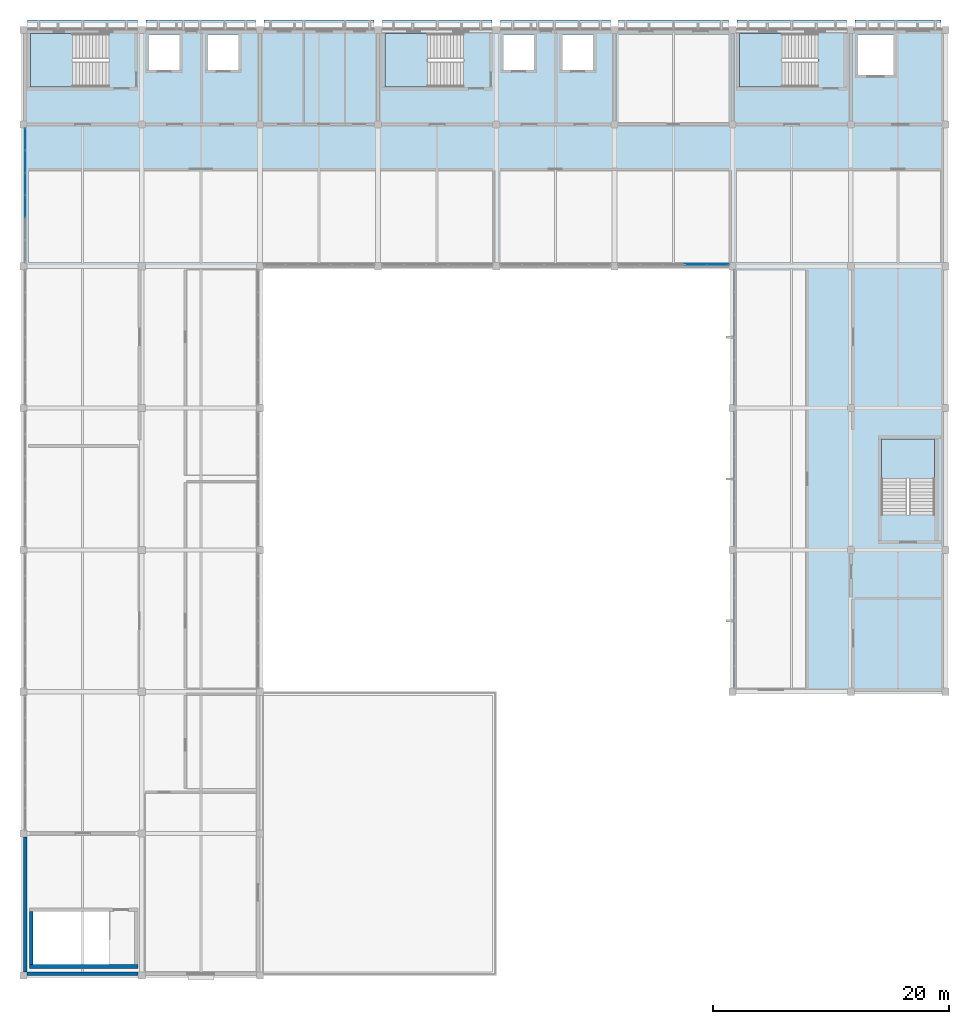
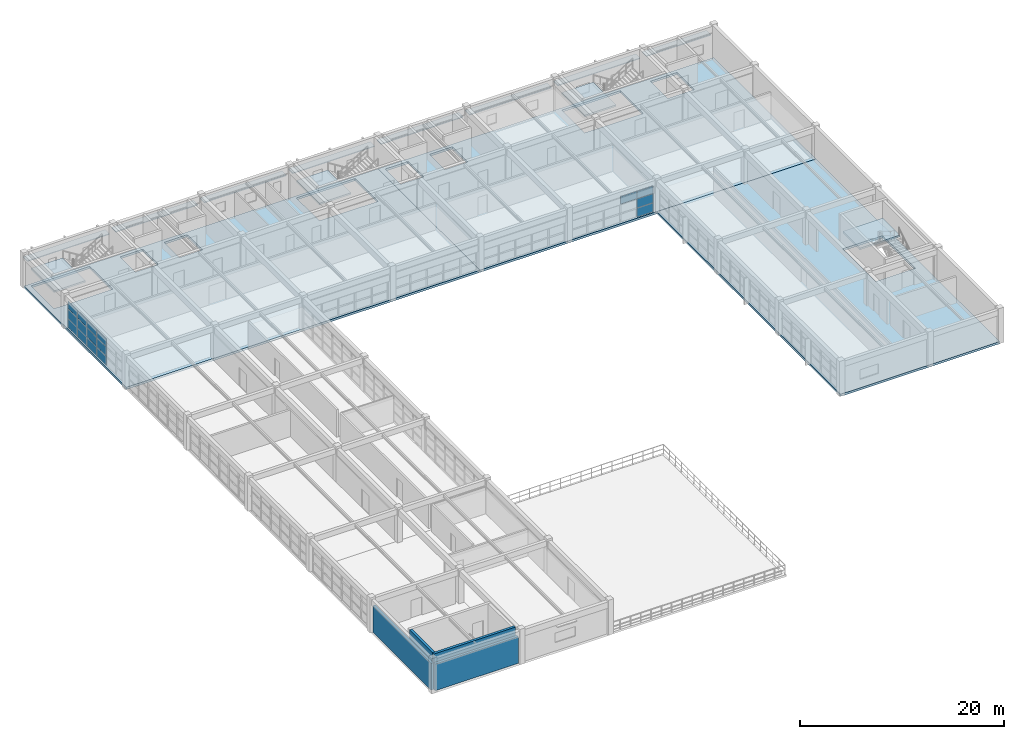
# One storey, part 18 of 28: 24 plates, 7 slabs, 4 walls, 6 elements without a shape of their own.
"""IFC4 building model written with IfcOpenShell, lengths in metres."""

from ifc_helpers import new_model, si_unit, direction, frame, frame_2d, origin, origin_2d, place, context, subcontext, project, spatial, polyline, rectangle, outline, extrude, material, layer, layer_set, type_object, element, aggregate, save


model = new_model("IFC4")

# Units and contexts
model_context = context("Model", 3, precision=1e-05, world=origin(), true_north=direction((0.0, 1.0)))
body_context = subcontext(model_context, "Body", "Model", "MODEL_VIEW")
ifc_project = project(units=[si_unit("LENGTHUNIT", "METRE"), si_unit("AREAUNIT", "SQUARE_METRE"), si_unit("VOLUMEUNIT", "CUBIC_METRE"), si_unit("PLANEANGLEUNIT", "RADIAN"), si_unit("MASSUNIT", "GRAM", prefix="KILO")], contexts=[model_context])

# Site, building, storey
site_placement = place(None, origin())
site = spatial("IfcSite", under=ifc_project, at=site_placement, CompositionType="ELEMENT")
building_placement = place(site_placement, origin())
building = spatial("IfcBuilding", under=site, at=building_placement, Name="Kivolera Central Railway Station", CompositionType="ELEMENT")
storey_placement = place(building_placement, frame((0.0, 0.0, 18.60009765625)))
storey = spatial("IfcBuildingStorey", under=building, at=storey_placement, Name="L04", CompositionType="ELEMENT", Elevation=18.60009765625)

# Curtain wall, plates
ifc_material_1 = material(Name="Anodised aluminium", Category="aluminium")
ifc_layer_1 = layer(ifc_material_1, 0.179931640625, Name="Anodised aluminium")
ifc_layer_set_1 = layer_set([ifc_layer_1], Name="Anodised aluminium")
curtain_wall_type_1 = type_object("IfcCurtainWallType", Name="CW-SYS-33", PredefinedType="NOTDEFINED", material=ifc_layer_set_1)
curtain_wall_1_placement = place(storey_placement, origin())
curtain_wall_1 = element("IfcCurtainWall", 1, at=curtain_wall_1_placement, inside=storey, type_object=curtain_wall_type_1, Name="L04 Curtain Wall CW-L04-WEST-K", PredefinedType="NOTDEFINED")
ifc_material_2 = material(Name="Double low-E laminated glass", Category="glass")
ifc_layer_2 = layer(ifc_material_2, 0.030029296875, Name="Double low-E laminated glass")
ifc_layer_set_2 = layer_set([ifc_layer_2], Name="Double low-E laminated glass")
plate_type_1 = type_object("IfcPlateType", Name="CWP-GLZ-2", PredefinedType="CURTAIN_PANEL", material=ifc_layer_set_2)
plate_1_placement = place(storey_placement, frame((118.14501953125, 119.049072265625, 0.057861328125), z_axis=(0.0, 0.0, 1.0), x_axis=(0.0, 1.0, 0.0)))
plate_1 = element("IfcPlate", 2, at=plate_1_placement, type_object=plate_type_1, Name="CW-33 panel 3.1", PredefinedType="CURTAIN_PANEL", context=body_context, shape_type="SweptSolid", body=[
    extrude(rectangle(XDim=1.855712890625, YDim=0.030029296875, at=origin_2d()), origin(), (0.0, 0.0, 1.0), 1.06982421875),
])
plate_2_placement = place(storey_placement, frame((118.14501953125, 119.049072265625, 1.173828125), z_axis=(0.0, 0.0, 1.0), x_axis=(0.0, 1.0, 0.0)))
plate_2 = element("IfcPlate", 3, at=plate_2_placement, type_object=plate_type_1, Name="CW-33 panel 3.2", PredefinedType="CURTAIN_PANEL", context=body_context, shape_type="SweptSolid", body=[
    extrude(rectangle(XDim=1.855712890625, YDim=0.030029296875, at=origin_2d()), origin(), (0.0, 0.0, 1.0), 1.104736328125),
])
plate_3_placement = place(storey_placement, frame((118.14501953125, 119.049072265625, 2.32421875), z_axis=(0.0, 0.0, 1.0), x_axis=(0.0, 1.0, 0.0)))
plate_3 = element("IfcPlate", 4, at=plate_3_placement, type_object=plate_type_1, Name="CW-33 panel 3.3", PredefinedType="CURTAIN_PANEL", context=body_context, shape_type="SweptSolid", body=[
    extrude(rectangle(XDim=1.855712890625, YDim=0.030029296875, at=origin_2d()), origin(), (0.0, 0.0, 1.0), 0.905517578125),
])
plate_4_placement = place(storey_placement, frame((118.14501953125, 120.950927734375, 0.057861328125), z_axis=(0.0, 0.0, 1.0), x_axis=(0.0, 1.0, 0.0)))
plate_4 = element("IfcPlate", 5, at=plate_4_placement, type_object=plate_type_1, Name="CW-33 panel 4.1", PredefinedType="CURTAIN_PANEL", context=body_context, shape_type="SweptSolid", body=[
    extrude(rectangle(XDim=1.855712890625, YDim=0.030029296875, at=origin_2d()), origin(), (0.0, 0.0, 1.0), 1.06982421875),
])
plate_5_placement = place(storey_placement, frame((118.14501953125, 120.950927734375, 1.173828125), z_axis=(0.0, 0.0, 1.0), x_axis=(0.0, 1.0, 0.0)))
plate_5 = element("IfcPlate", 6, at=plate_5_placement, type_object=plate_type_1, Name="CW-33 panel 4.2", PredefinedType="CURTAIN_PANEL", context=body_context, shape_type="SweptSolid", body=[
    extrude(rectangle(XDim=1.855712890625, YDim=0.030029296875, at=origin_2d()), origin(), (0.0, 0.0, 1.0), 1.104736328125),
])
plate_6_placement = place(storey_placement, frame((118.14501953125, 120.950927734375, 2.32421875), z_axis=(0.0, 0.0, 1.0), x_axis=(0.0, 1.0, 0.0)))
plate_6 = element("IfcPlate", 7, at=plate_6_placement, type_object=plate_type_1, Name="CW-33 panel 4.3", PredefinedType="CURTAIN_PANEL", context=body_context, shape_type="SweptSolid", body=[
    extrude(rectangle(XDim=1.855712890625, YDim=0.030029296875, at=origin_2d()), origin(), (0.0, 0.0, 1.0), 0.905517578125),
])
plate_7_placement = place(storey_placement, frame((118.14501953125, 122.8525390625, 0.057861328125), z_axis=(0.0, 0.0, 1.0), x_axis=(0.0, 1.0, 0.0)))
plate_7 = element("IfcPlate", 8, at=plate_7_placement, type_object=plate_type_1, Name="CW-33 panel 5.1", PredefinedType="CURTAIN_PANEL", context=body_context, shape_type="SweptSolid", body=[
    extrude(rectangle(XDim=1.855712890625, YDim=0.030029296875, at=origin_2d()), origin(), (0.0, 0.0, 1.0), 1.06982421875),
])
plate_8_placement = place(storey_placement, frame((118.14501953125, 122.8525390625, 1.173828125), z_axis=(0.0, 0.0, 1.0), x_axis=(0.0, 1.0, 0.0)))
plate_8 = element("IfcPlate", 9, at=plate_8_placement, type_object=plate_type_1, Name="CW-33 panel 5.2", PredefinedType="CURTAIN_PANEL", context=body_context, shape_type="SweptSolid", body=[
    extrude(rectangle(XDim=1.855712890625, YDim=0.030029296875, at=origin_2d()), origin(), (0.0, 0.0, 1.0), 1.104736328125),
])
plate_9_placement = place(storey_placement, frame((118.14501953125, 122.8525390625, 2.32421875), z_axis=(0.0, 0.0, 1.0), x_axis=(0.0, 1.0, 0.0)))
plate_9 = element("IfcPlate", 10, at=plate_9_placement, type_object=plate_type_1, Name="CW-33 panel 5.3", PredefinedType="CURTAIN_PANEL", context=body_context, shape_type="SweptSolid", body=[
    extrude(rectangle(XDim=1.855712890625, YDim=0.030029296875, at=origin_2d()), origin(), (0.0, 0.0, 1.0), 0.905517578125),
])
plate_10_placement = place(storey_placement, frame((118.14501953125, 124.736572265625, 0.057861328125), z_axis=(0.0, 0.0, 1.0), x_axis=(0.0, 1.0, 0.0)))
plate_10 = element("IfcPlate", 11, at=plate_10_placement, type_object=plate_type_1, Name="CW-33 panel 6.1", PredefinedType="CURTAIN_PANEL", context=body_context, shape_type="SweptSolid", body=[
    extrude(rectangle(XDim=1.820556640625, YDim=0.030029296875, at=origin_2d()), origin(), (0.0, 0.0, 1.0), 1.06982421875),
])
plate_11_placement = place(storey_placement, frame((118.14501953125, 124.736572265625, 1.173828125), z_axis=(0.0, 0.0, 1.0), x_axis=(0.0, 1.0, 0.0)))
plate_11 = element("IfcPlate", 12, at=plate_11_placement, type_object=plate_type_1, Name="CW-33 panel 6.2", PredefinedType="CURTAIN_PANEL", context=body_context, shape_type="SweptSolid", body=[
    extrude(rectangle(XDim=1.820556640625, YDim=0.030029296875, at=origin_2d()), origin(), (0.0, 0.0, 1.0), 1.104736328125),
])
plate_12_placement = place(storey_placement, frame((118.14501953125, 124.736572265625, 2.32421875), z_axis=(0.0, 0.0, 1.0), x_axis=(0.0, 1.0, 0.0)))
plate_12 = element("IfcPlate", 13, at=plate_12_placement, type_object=plate_type_1, Name="CW-33 panel 6.3", PredefinedType="CURTAIN_PANEL", context=body_context, shape_type="SweptSolid", body=[
    extrude(rectangle(XDim=1.820556640625, YDim=0.030029296875, at=origin_2d()), origin(), (0.0, 0.0, 1.0), 0.905517578125),
])
aggregate(curtain_wall_1, [plate_1, plate_2, plate_3, plate_4, plate_5, plate_6, plate_7, plate_8, plate_9, plate_10, plate_11, plate_12])

ifc_layer_3 = layer(ifc_material_1, 0.179931640625, Name="Anodised aluminium")
ifc_layer_set_3 = layer_set([ifc_layer_3], Name="Anodised aluminium")
curtain_wall_type_2 = type_object("IfcCurtainWallType", Name="CW-SYS-31", PredefinedType="NOTDEFINED", material=ifc_layer_set_3)
curtain_wall_2_placement = place(storey_placement, origin())
curtain_wall_2 = element("IfcCurtainWall", 14, at=curtain_wall_2_placement, inside=storey, type_object=curtain_wall_type_2, Name="L04 Curtain Wall CW-L04-CRTN-168", PredefinedType="NOTDEFINED")
ifc_layer_4 = layer(ifc_material_2, 0.0419921875, Name="Double low-E laminated glass")
ifc_layer_set_4 = layer_set([ifc_layer_4], Name="Double low-E laminated glass")
plate_type_2 = type_object("IfcPlateType", Name="CWP-GLZ-5", PredefinedType="CURTAIN_PANEL", material=ifc_layer_set_4)
plate_13_placement = place(storey_placement, frame((176.7490234375, 114.14501953125, 0.0478515625), z_axis=(0.0, 0.0, 1.0), x_axis=(-1.0, 0.0, 0.0)))
plate_13 = element("IfcPlate", 15, at=plate_13_placement, type_object=plate_type_2, Name="CW-31 panel 1.1", PredefinedType="CURTAIN_PANEL", context=body_context, shape_type="SweptSolid", body=[
    extrude(rectangle(XDim=1.81591796875, YDim=0.0419921875, at=origin_2d()), origin(), (0.0, 0.0, 1.0), 1.0498046875),
])
plate_14_placement = place(storey_placement, frame((176.7490234375, 114.14501953125, 1.1337890625), z_axis=(0.0, 0.0, 1.0), x_axis=(-1.0, 0.0, 0.0)))
plate_14 = element("IfcPlate", 16, at=plate_14_placement, type_object=plate_type_2, Name="CW-31 panel 1.2", PredefinedType="CURTAIN_PANEL", context=body_context, shape_type="SweptSolid", body=[
    extrude(rectangle(XDim=1.81591796875, YDim=0.0419921875, at=origin_2d()), origin(), (0.0, 0.0, 1.0), 1.079833984375),
])
plate_15_placement = place(storey_placement, frame((176.7490234375, 114.14501953125, 2.24951171875), z_axis=(0.0, 0.0, 1.0), x_axis=(-1.0, 0.0, 0.0)))
plate_15 = element("IfcPlate", 17, at=plate_15_placement, type_object=plate_type_2, Name="CW-31 panel 1.3", PredefinedType="CURTAIN_PANEL", context=body_context, shape_type="SweptSolid", body=[
    extrude(rectangle(XDim=1.81591796875, YDim=0.0419921875, at=origin_2d()), origin(), (0.0, 0.0, 1.0), 0.890380859375),
])
plate_16_placement = place(storey_placement, frame((174.882080078125, 114.14501953125, 2.24951171875), z_axis=(0.0, 0.0, 1.0), x_axis=(-1.0, 0.0, 0.0)))
plate_16 = element("IfcPlate", 18, at=plate_16_placement, type_object=plate_type_2, Name="CW-31 panel 2.3", PredefinedType="CURTAIN_PANEL", context=body_context, shape_type="SweptSolid", body=[
    extrude(rectangle(XDim=1.845947265625, YDim=0.0419921875, at=origin_2d()), origin(), (0.0, 0.0, 1.0), 0.890380859375),
])
aggregate(curtain_wall_2, [plate_13, plate_14, plate_15, plate_16])

# Plates
ifc_layer_5 = layer(ifc_material_1, 0.094970703125, Name="Anodised aluminium")
ifc_layer_set_5 = layer_set([ifc_layer_5], Name="Anodised aluminium")
plate_type_3 = type_object("IfcPlateType", Name="PLT-EGGHOOD-95", PredefinedType="SHEET", material=ifc_layer_set_5)
for number, where, z_axis, x_axis, name in (
    (19, (123.0, 134.4130859375, 2.7724609375), (0.0, 0.0, 1.0), (1.0, 0.0, 0.0), "L04 North Afro-Modernist Monsoon Sun-Hood 1"),
    (20, (133.0, 134.4130859375, 2.7724609375), (0.0, 0.0, 1.0), (1.0, 0.0, 0.0), "L04 North Afro-Modernist Monsoon Sun-Hood 2"),
    (21, (143.0, 134.4130859375, 2.7724609375), (0.0, 0.0, 1.0), (1.0, 0.0, 0.0), "L04 North Afro-Modernist Monsoon Sun-Hood 3"),
    (22, (153.0, 134.4130859375, 2.7724609375), (0.0, 0.0, 1.0), (1.0, 0.0, 0.0), "L04 North Afro-Modernist Monsoon Sun-Hood 4"),
    (23, (163.0, 134.4130859375, 2.7724609375), (0.0, 0.0, 1.0), (1.0, 0.0, 0.0), "L04 North Afro-Modernist Monsoon Sun-Hood 5"),
    (24, (173.0, 134.4130859375, 2.7724609375), (0.0, 0.0, 1.0), (1.0, 0.0, 0.0), "L04 North Afro-Modernist Monsoon Sun-Hood 6"),
    (25, (183.0, 134.4130859375, 2.7724609375), (0.0, 0.0, 1.0), (1.0, 0.0, 0.0), "L04 North Afro-Modernist Monsoon Sun-Hood 7"),
):
    element("IfcPlate", number, at=place(storey_placement, frame(where, z_axis=z_axis, x_axis=x_axis)), inside=storey, type_object=plate_type_3, Name=name, PredefinedType="SHEET", context=body_context, shape_type="SweptSolid", body=[
        extrude(rectangle(XDim=9.2900390625, YDim=0.85009765625, at=origin_2d()), origin(), (0.0, 0.0, 1.0), 0.094970703125),
    ])
plate_17_placement = place(storey_placement, frame((192.0, 134.4130859375, 2.7724609375), z_axis=(0.0, 0.0, 1.0), x_axis=(1.0, 0.0, 0.0)))
element("IfcPlate", 26, at=plate_17_placement, inside=storey, type_object=plate_type_3, Name="L04 North Afro-Modernist Monsoon Sun-Hood 8", PredefinedType="SHEET", context=body_context, shape_type="SweptSolid", body=[
    extrude(rectangle(XDim=7.2900390625, YDim=0.85009765625, at=origin_2d()), origin(), (0.0, 0.0, 1.0), 0.094970703125),
])

# Slabs
ifc_material_3 = material(Name="Concrete C40/50", Category="concrete")
ifc_layer_6 = layer(ifc_material_3, 0.260009765625, Name="Concrete C40/50")
ifc_layer_set_6 = layer_set([ifc_layer_6], Name="Concrete C40/50")
slab_type_1 = type_object("IfcSlabType", Name="SLB-FLR-260", PredefinedType="FLOOR", material=ifc_layer_set_6)
slab_1_placement = place(storey_placement, frame((0.0, 0.0, -0.260009765625)))
element("IfcSlab", 27, at=slab_1_placement, inside=storey, type_object=slab_type_1, Name="L04 Wing NORTH-W Floor Slab", PredefinedType="FLOOR", context=body_context, shape_type="SweptSolid", body=[
    extrude(outline(polyline([(118.0, 114.0), (158.0, 114.0), (158.0, 134.0), (118.0, 134.0), (118.0, 114.0)]), holes=[polyline([(125.239990234375, 133.679931640625), (118.60009765625, 133.679931640625), (118.60009765625, 129.179931640625), (125.239990234375, 129.179931640625), (125.239990234375, 133.679931640625)]), polyline([(155.239990234375, 133.679931640625), (148.60009765625, 133.679931640625), (148.60009765625, 129.179931640625), (155.239990234375, 129.179931640625), (155.239990234375, 133.679931640625)]), polyline([(128.60009765625, 130.60009765625), (131.199951171875, 130.60009765625), (131.199951171875, 133.60009765625), (128.60009765625, 133.60009765625), (128.60009765625, 130.60009765625)]), polyline([(133.60009765625, 130.60009765625), (136.199951171875, 130.60009765625), (136.199951171875, 133.60009765625), (133.60009765625, 133.60009765625), (133.60009765625, 130.60009765625)])]), origin(), (0.0, 0.0, 1.0), 0.260009765625),
])
slab_2_placement = place(storey_placement, frame((0.0, 0.0, -0.260009765625)))
element("IfcSlab", 28, at=slab_2_placement, inside=storey, type_object=slab_type_1, Name="L04 Wing NORTH-E Floor Slab", PredefinedType="FLOOR", context=body_context, shape_type="SweptSolid", body=[
    extrude(outline(polyline([(158.0, 114.0), (196.0, 114.0), (196.0, 134.0), (158.0, 134.0), (158.0, 114.0)]), holes=[polyline([(185.239990234375, 133.679931640625), (178.60009765625, 133.679931640625), (178.60009765625, 129.179931640625), (185.239990234375, 129.179931640625), (185.239990234375, 133.679931640625)]), polyline([(158.60009765625, 130.60009765625), (161.199951171875, 130.60009765625), (161.199951171875, 133.60009765625), (158.60009765625, 133.60009765625), (158.60009765625, 130.60009765625)]), polyline([(163.60009765625, 130.60009765625), (166.199951171875, 130.60009765625), (166.199951171875, 133.60009765625), (163.60009765625, 133.60009765625), (163.60009765625, 130.60009765625)]), polyline([(188.60009765625, 130.199951171875), (191.60009765625, 130.199951171875), (191.60009765625, 133.60009765625), (188.60009765625, 133.60009765625), (188.60009765625, 130.199951171875)])]), origin(), (0.0, 0.0, 1.0), 0.260009765625),
])
slab_3_placement = place(storey_placement, frame((0.0, 0.0, -0.260009765625)))
element("IfcSlab", 29, at=slab_3_placement, inside=storey, type_object=slab_type_1, Name="L04 Wing EAST Floor Slab", PredefinedType="FLOOR", context=body_context, shape_type="SweptSolid", body=[
    extrude(outline(polyline([(178.0, 78.0), (196.0, 78.0), (196.0, 114.0), (178.0, 114.0), (178.0, 78.0)]), holes=[polyline([(195.10009765625, 92.9599609375), (195.10009765625, 99.39990234375), (190.60009765625, 99.39990234375), (190.60009765625, 92.9599609375), (195.10009765625, 92.9599609375)])]), origin(), (0.0, 0.0, 1.0), 0.260009765625),
])

# Stair, slab
stair_type = type_object("IfcStairType", Name="STR-2160-24", PredefinedType="HALF_TURN_STAIR", material=ifc_material_3)
stair_1_placement = place(storey_placement, origin())
stair_1 = element("IfcStair", 30, at=stair_1_placement, inside=storey, type_object=stair_type, Name="L04 Protected Exit Stair ST1", PredefinedType="HALF_TURN_STAIR")
ifc_layer_7 = layer(ifc_material_3, 0.199951171875, Name="Concrete C40/50")
ifc_layer_set_7 = layer_set([ifc_layer_7], Name="Concrete C40/50")
slab_type_2 = type_object("IfcSlabType", Name="SLB-LND-200", PredefinedType="LANDING", material=ifc_layer_set_7)
slab_4_placement = place(storey_placement, frame((0.0, 0.0, 1.89990234375)))
slab_4 = element("IfcSlab", 31, at=slab_4_placement, type_object=slab_type_2, Name="ST1 landing 1", PredefinedType="LANDING", context=body_context, shape_type="SweptSolid", body=[
    extrude(outline(polyline([(122.159912109375, 133.679931640625), (118.60009765625, 133.679931640625), (118.60009765625, 129.179931640625), (122.159912109375, 129.179931640625), (122.159912109375, 133.679931640625)])), origin(), (0.0, 0.0, 1.0), 0.199951171875),
])
aggregate(stair_1, [slab_4])

stair_2_placement = place(storey_placement, origin())
stair_2 = element("IfcStair", 32, at=stair_2_placement, inside=storey, type_object=stair_type, Name="L04 Protected Exit Stair ST2", PredefinedType="HALF_TURN_STAIR")
slab_5_placement = place(storey_placement, frame((0.0, 0.0, 1.89990234375)))
slab_5 = element("IfcSlab", 33, at=slab_5_placement, type_object=slab_type_2, Name="ST2 landing 1", PredefinedType="LANDING", context=body_context, shape_type="SweptSolid", body=[
    extrude(outline(polyline([(152.159912109375, 133.679931640625), (148.60009765625, 133.679931640625), (148.60009765625, 129.179931640625), (152.159912109375, 129.179931640625), (152.159912109375, 133.679931640625)])), origin(), (0.0, 0.0, 1.0), 0.199951171875),
])
aggregate(stair_2, [slab_5])

stair_3_placement = place(storey_placement, origin())
stair_3 = element("IfcStair", 34, at=stair_3_placement, inside=storey, type_object=stair_type, Name="L04 Protected Exit Stair ST3", PredefinedType="HALF_TURN_STAIR")
slab_6_placement = place(storey_placement, frame((0.0, 0.0, 1.89990234375)))
slab_6 = element("IfcSlab", 35, at=slab_6_placement, type_object=slab_type_2, Name="ST3 landing 1", PredefinedType="LANDING", context=body_context, shape_type="SweptSolid", body=[
    extrude(outline(polyline([(182.159912109375, 133.679931640625), (178.60009765625, 133.679931640625), (178.60009765625, 129.179931640625), (182.159912109375, 129.179931640625), (182.159912109375, 133.679931640625)])), origin(), (0.0, 0.0, 1.0), 0.199951171875),
])
aggregate(stair_3, [slab_6])

stair_4_placement = place(storey_placement, origin())
stair_4 = element("IfcStair", 36, at=stair_4_placement, inside=storey, type_object=stair_type, Name="L04 Protected Exit Stair ST11", PredefinedType="HALF_TURN_STAIR")
slab_7_placement = place(storey_placement, frame((0.0, 0.0, 1.89990234375)))
slab_7 = element("IfcSlab", 37, at=slab_7_placement, type_object=slab_type_2, Name="ST11 landing 1", PredefinedType="LANDING", context=body_context, shape_type="SweptSolid", body=[
    extrude(outline(polyline([(195.10009765625, 96.0400390625), (195.10009765625, 99.39990234375), (190.60009765625, 99.39990234375), (190.60009765625, 96.0400390625), (195.10009765625, 96.0400390625)])), origin(), (0.0, 0.0, 1.0), 0.199951171875),
])
aggregate(stair_4, [slab_7])

# Walls
ifc_layer_8 = layer(ifc_material_3, 0.300048828125, Name="Concrete C40/50")
ifc_layer_set_8 = layer_set([ifc_layer_8], Name="Concrete C40/50")
wall_type_1 = type_object("IfcWallType", Name="WL-CORE-300", PredefinedType="SHEAR", material=ifc_layer_set_8)
wall_1_placement = place(storey_placement, frame((127.699951171875, 54.75, 0.0), z_axis=(0.0, 0.0, 1.0), x_axis=(-1.0, 0.0, 0.0)))
element("IfcWall", 38, at=wall_1_placement, inside=storey, type_object=wall_type_1, Name="L04 ST4 Core Right Shear Wall", PredefinedType="SHEAR", context=body_context, shape_type="SweptSolid", body=[
    extrude(rectangle(XDim=9.199951171875, YDim=0.300048828125, at=frame_2d((4.60009765625, 0.0))), origin(), (0.0, 0.0, 1.0), 3.949951171875),
])
wall_2_placement = place(storey_placement, frame((118.64990234375, 54.89990234375, 0.0), z_axis=(0.0, 0.0, 1.0), x_axis=(0.0, 1.0, 0.0)))
element("IfcWall", 39, at=wall_2_placement, inside=storey, type_object=wall_type_1, Name="L04 ST4 Core Far Shear Wall", PredefinedType="SHEAR", context=body_context, shape_type="SweptSolid", body=[
    extrude(rectangle(XDim=4.5, YDim=0.300048828125, at=frame_2d((2.25, 0.0))), origin(), (0.0, 0.0, 1.0), 3.949951171875),
])
ifc_material_4 = material(Name="Swahili coral limestone", Category="masonry")
ifc_layer_9 = layer(ifc_material_4, 0.2900390625, Name="Swahili coral limestone")
ifc_layer_set_9 = layer_set([ifc_layer_9], Name="Swahili coral limestone")
wall_type_2 = type_object("IfcWallType", Name="WL-EXT-CORAL-290", PredefinedType="SOLIDWALL", material=ifc_layer_set_9)
wall_3_placement = place(storey_placement, frame((118.14501953125, 54.294921875, 0.0), z_axis=(0.0, 0.0, 1.0), x_axis=(0.0, 1.0, 0.0)))
element("IfcWall", 40, at=wall_3_placement, inside=storey, type_object=wall_type_2, Name="L04 West Facade Wall E-F", PredefinedType="SOLIDWALL", context=body_context, shape_type="SweptSolid", body=[
    extrude(rectangle(XDim=11.41015625, YDim=0.2900390625, at=frame_2d((5.705078125, 0.0))), origin(), (0.0, 0.0, 1.0), 3.18798828125),
])
wall_4_placement = place(storey_placement, frame((127.705078125, 54.14501953125, 0.0), z_axis=(0.0, 0.0, 1.0), x_axis=(-1.0, 0.0, 0.0)))
element("IfcWall", 41, at=wall_4_placement, inside=storey, type_object=wall_type_2, Name="L04 South Facade Wall 118-128", PredefinedType="SOLIDWALL", context=body_context, shape_type="SweptSolid", body=[
    extrude(rectangle(XDim=9.41015625, YDim=0.2900390625, at=frame_2d((4.705078125, 0.0))), origin(), (0.0, 0.0, 1.0), 3.18798828125),
])

save(model, "model.ifc")
